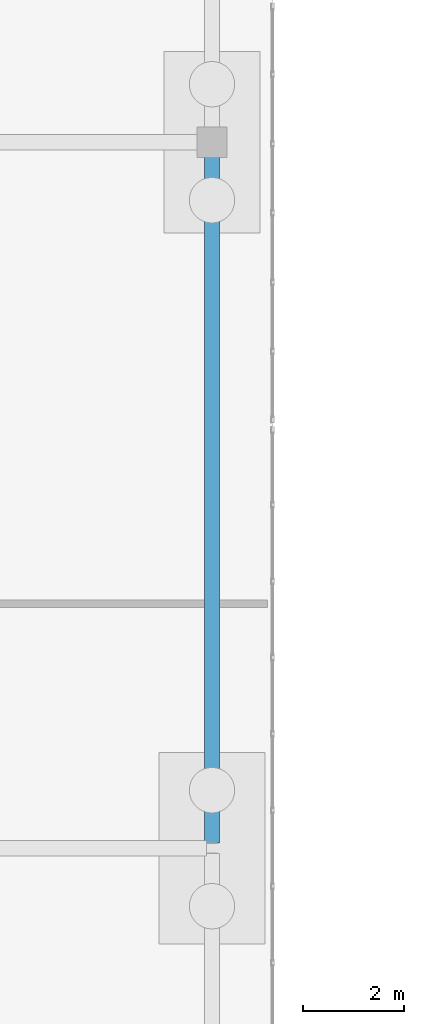
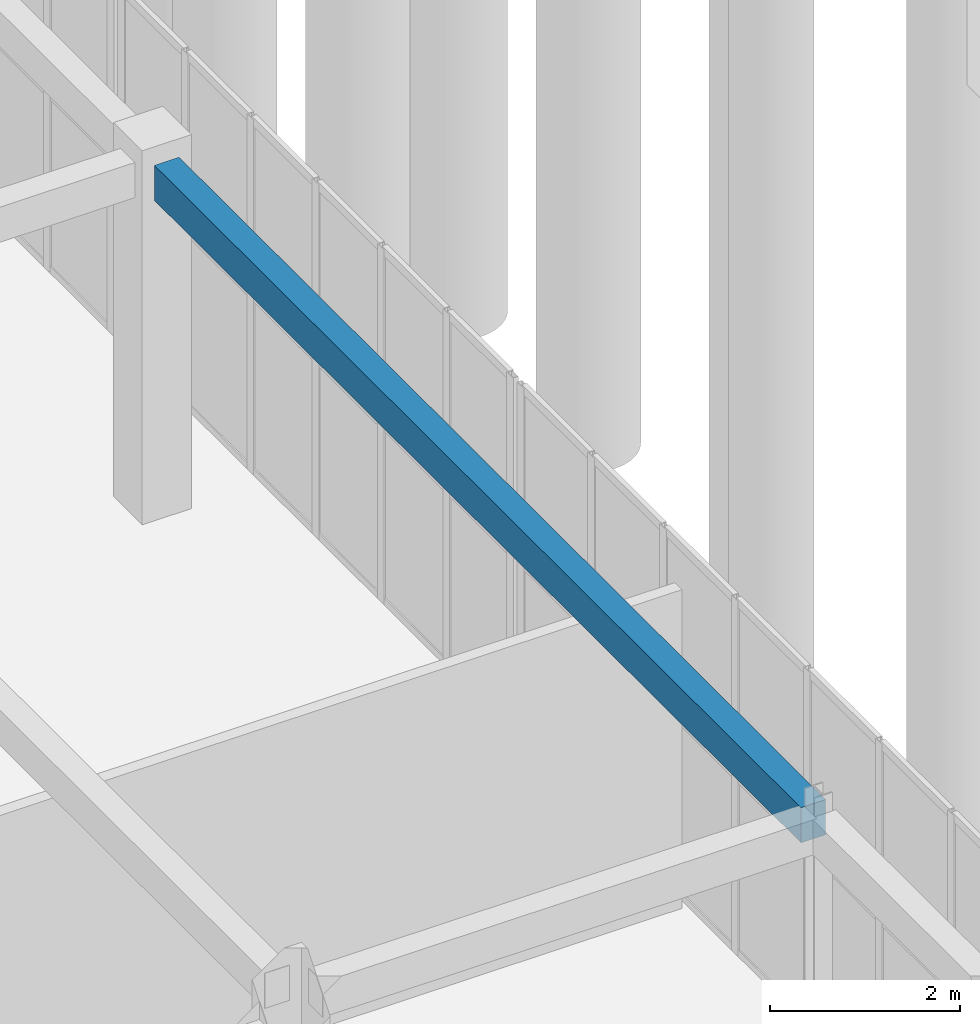
# One storey, part 109 of 192: 1 beam.
"""IFC4 building model written with IfcOpenShell, lengths in metres."""

from ifc_helpers import new_model, si_unit, direction, frame, origin, origin_2d, place, context, subcontext, project, spatial, rectangle, extrude, material, material_profile, profile_set, type_object, element, save


model = new_model("IFC4")

# Units and contexts
model_context = context("Model", 3, precision=1e-05, world=origin(), true_north=direction((0.0, 1.0)))
body_context = subcontext(model_context, "Body", "Model", "MODEL_VIEW")
ifc_project = project(units=[si_unit("LENGTHUNIT", "METRE"), si_unit("AREAUNIT", "SQUARE_METRE"), si_unit("VOLUMEUNIT", "CUBIC_METRE"), si_unit("PLANEANGLEUNIT", "RADIAN"), si_unit("MASSUNIT", "GRAM", prefix="KILO")], contexts=[model_context])

# Site, building, storey
site_placement = place(None, origin())
site = spatial("IfcSite", under=ifc_project, at=site_placement, CompositionType="ELEMENT")
building_placement = place(site_placement, origin())
building = spatial("IfcBuilding", under=site, at=building_placement, Name="Trelvath General Hospital", CompositionType="ELEMENT")
storey_placement = place(building_placement, origin())
storey = spatial("IfcBuildingStorey", under=building, at=storey_placement, Name="L00", CompositionType="ELEMENT", Elevation=0.0)

# Beam
ifc_material = material(Name="Concrete C35/45", Category="concrete")
ifc_material_profile = material_profile(ifc_material, rectangle(XDim=0.300048828125, YDim=0.449951171875, at=origin_2d()), Name="RCB300x450")
ifc_profile_set = profile_set([ifc_material_profile], Name="Concrete C35/45")
beam_type = type_object("IfcBeamType", Name="Beam RC300x450", PredefinedType="BEAM", material=ifc_profile_set)
beam_placement = place(storey_placement, frame((120.0, 58.906005859375, 4.3349609375), z_axis=(0.0, 1.0, 0.0), x_axis=(-1.0, 0.0, 0.0)))
element("IfcBeam", 1, at=beam_placement, inside=storey, type_object=beam_type, Name="Cube Interior Ring Beam CUBE-E-T0 L00", PredefinedType="BEAM", context=body_context, shape_type="SweptSolid", body=[
    extrude(rectangle(XDim=0.300048828125, YDim=0.449951171875, at=origin_2d()), origin(), (0.0, 0.0, 1.0), 13.597900390625),
])

save(model, "model.ifc")
